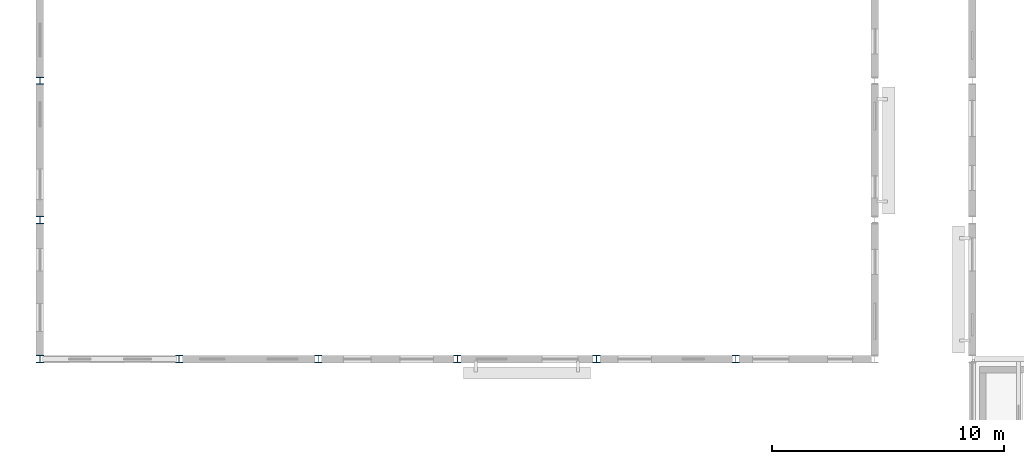
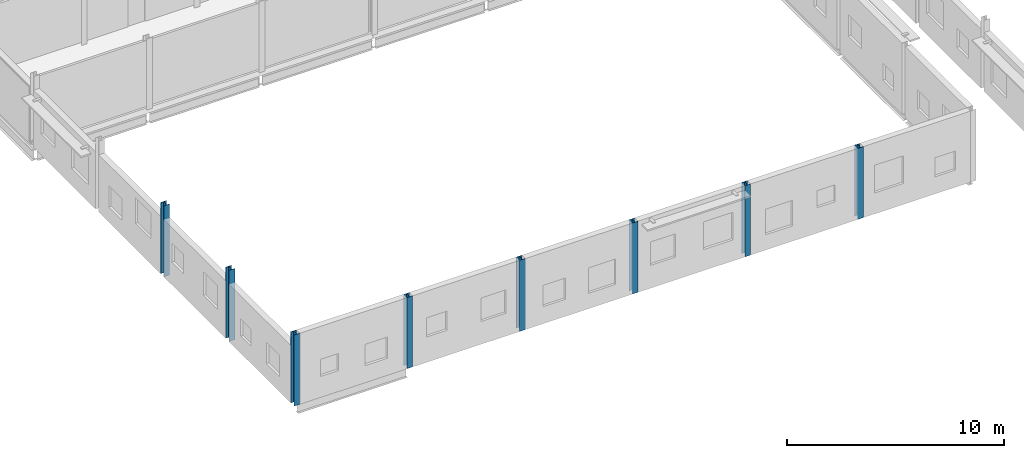
# One storey, part 1 of 92: 8 columns.
"""IFC4 building model written with IfcOpenShell, lengths in metres."""

from ifc_helpers import new_model, si_unit, direction, frame, origin, origin_2d, place, context, subcontext, project, spatial, i_section, extrude, material, material_profile, profile_set, type_object, element, save


model = new_model("IFC4")

# Units and contexts
model_context = context("Model", 3, precision=1e-05, world=origin(), true_north=direction((0.0, 1.0)))
body_context = subcontext(model_context, "Body", "Model", "MODEL_VIEW")
ifc_project = project(units=[si_unit("LENGTHUNIT", "METRE"), si_unit("AREAUNIT", "SQUARE_METRE"), si_unit("VOLUMEUNIT", "CUBIC_METRE"), si_unit("PLANEANGLEUNIT", "RADIAN"), si_unit("MASSUNIT", "GRAM", prefix="KILO")], contexts=[model_context])

# Site, building, storey
site_placement = place(None, origin())
site = spatial("IfcSite", under=ifc_project, at=site_placement, CompositionType="ELEMENT")
building_placement = place(site_placement, origin())
building = spatial("IfcBuilding", under=site, at=building_placement, Name="Siltcreek Boulevard Central Fire Station", CompositionType="ELEMENT")
storey_placement = place(building_placement, frame((0.0, 0.0, 6.0)))
storey = spatial("IfcBuildingStorey", under=building, at=storey_placement, Name="L02", CompositionType="ELEMENT", Elevation=6.0)

# Columns
ifc_material = material(Name="Structural steel ASTM A992 Gr50", Category="steel")
ifc_material_profile = material_profile(ifc_material, i_section(OverallWidth=0.306884765625, OverallDepth=0.31396484375, WebThickness=0.010986328125, FlangeThickness=0.018798828125, at=origin_2d()), Name="W310X118")
ifc_profile_set = profile_set([ifc_material_profile], Name="Structural steel ASTM A992 Gr50")
column_type = type_object("IfcColumnType", Name="COL_W310X118", PredefinedType="COLUMN", material=ifc_profile_set)
for number, where, z_axis, x_axis, name in (
    (1, (1.800048828125, 18.0, 0.0), (0.0, 0.0, 1.0), (1.0, 0.0, 0.0), "L02 structural column COLG-L02-18-180"),
    (2, (1.800048828125, 24.0, 0.0), (0.0, 0.0, 1.0), (1.0, 0.0, 0.0), "L02 structural column COLG-L02-18-240"),
    (3, (1.800048828125, 30.0, 0.0), (0.0, 0.0, 1.0), (1.0, 0.0, 0.0), "L02 structural column COLG-L02-18-300"),
    (4, (7.800048828125, 18.0, 0.0), (0.0, 0.0, 1.0), (1.0, 0.0, 0.0), "L02 structural column COLG-L02-78-180"),
    (5, (13.800048828125, 18.0, 0.0), (0.0, 0.0, 1.0), (1.0, 0.0, 0.0), "L02 structural column COLG-L02-138-180"),
    (6, (19.800048828125, 18.0, 0.0), (0.0, 0.0, 1.0), (1.0, 0.0, 0.0), "L02 structural column COLG-L02-198-180"),
    (7, (25.800048828125, 18.0, 0.0), (0.0, 0.0, 1.0), (1.0, 0.0, 0.0), "L02 structural column COLG-L02-258-180"),
    (8, (31.800048828125, 18.0, 0.0), (0.0, 0.0, 1.0), (1.0, 0.0, 0.0), "L02 structural column COLG-L02-318-180"),
):
    element("IfcColumn", number, at=place(storey_placement, frame(where, z_axis=z_axis, x_axis=x_axis)), inside=storey, type_object=column_type, Name=name, PredefinedType="COLUMN", context=body_context, shape_type="SweptSolid", body=[
        extrude(i_section(OverallWidth=0.306884765625, OverallDepth=0.31396484375, WebThickness=0.010986328125, FlangeThickness=0.018798828125, at=origin_2d()), origin(), (0.0, 0.0, 1.0), 4.0),
    ])

save(model, "model.ifc")
